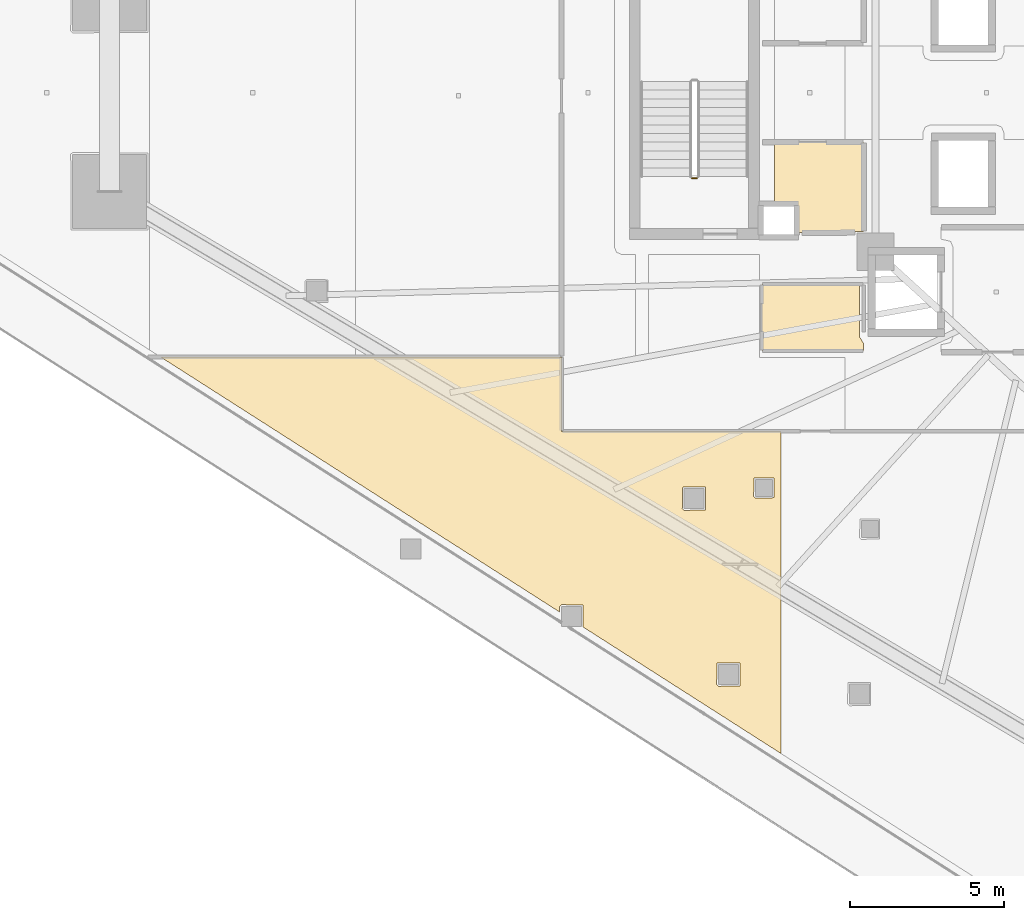
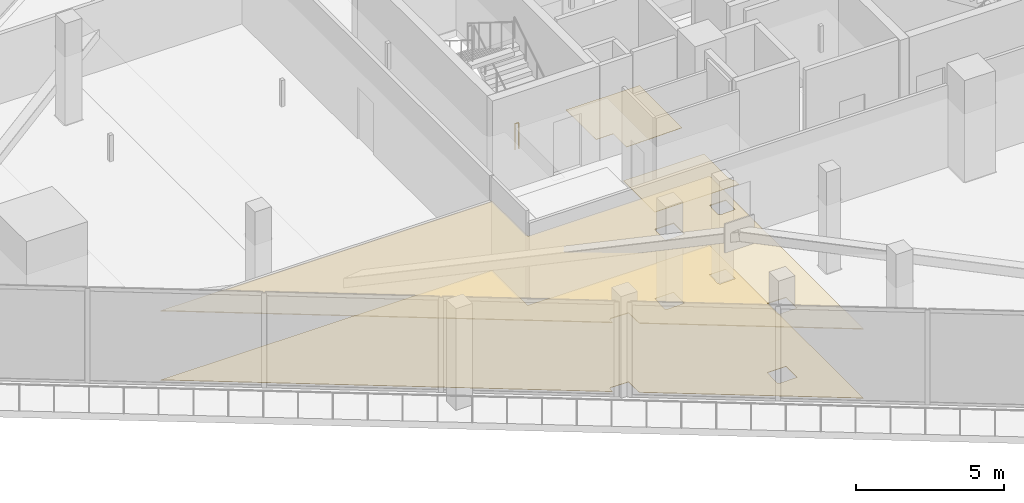
# One storey, part 36 of 43: 4 coverings, 1 railing.
"""IFC4 building model written with IfcOpenShell, lengths in metres."""

from ifc_helpers import new_model, si_unit, direction, frame, origin, origin_2d, place, context, subcontext, project, spatial, polyline, circle, outline, extrude, material, layer, layer_set, type_object, element, save


model = new_model("IFC4")

# Units and contexts
model_context = context("Model", 3, precision=1e-05, world=origin(), true_north=direction((0.0, 1.0)))
body_context = subcontext(model_context, "Body", "Model", "MODEL_VIEW")
ifc_project = project(units=[si_unit("LENGTHUNIT", "METRE"), si_unit("AREAUNIT", "SQUARE_METRE"), si_unit("VOLUMEUNIT", "CUBIC_METRE"), si_unit("PLANEANGLEUNIT", "RADIAN"), si_unit("MASSUNIT", "GRAM", prefix="KILO")], contexts=[model_context])

# Site, building, storey
site_placement = place(None, origin())
site = spatial("IfcSite", under=ifc_project, at=site_placement, CompositionType="ELEMENT")
building_placement = place(site_placement, origin())
building = spatial("IfcBuilding", under=site, at=building_placement, Name="Qorvath Tower", CompositionType="ELEMENT")
storey_placement = place(building_placement, frame((0.0, 0.0, 36.60009765625)))
storey = spatial("IfcBuildingStorey", under=building, at=storey_placement, Name="L07", CompositionType="ELEMENT", Elevation=36.60009765625)

# Coverings
ifc_material_1 = material(Name="Acoustic mineral fibre ceiling tile", Category="gypsum")
ifc_layer_1 = layer(ifc_material_1, 0.030029296875)
ifc_layer_set_1 = layer_set([ifc_layer_1], Name="COV-CEIL")
covering_type_1 = type_object("IfcCoveringType", Name="COV-CEIL", PredefinedType="CEILING", material=ifc_layer_set_1)
covering_1_placement = place(storey_placement, frame((0.0, 0.0, 2.849853515625)))
element("IfcCovering", 1, at=covering_1_placement, inside=storey, type_object=covering_type_1, Name="L07 Suspended Acoustic Ceiling 013", PredefinedType="CEILING", context=body_context, shape_type="SweptSolid", body=[
    extrude(outline(polyline([(-33.55078125, -21.390869140625), (-33.55078125, -10.962890625), (-40.657958984375, -10.962890625), (-40.6630859375, -8.554931640625), (-53.63427734375, -8.554931640625), (-40.717529296875, -16.810546875), (-40.717529296875, -16.630859375), (-40.657470703125, -16.57080078125), (-39.965087890625, -16.58837890625), (-39.95458984375, -17.298095703125), (-33.55078125, -21.390869140625)]), holes=[polyline([(-34.439208984375, -13.0673828125), (-34.421630859375, -12.47509765625), (-33.786865234375, -12.47509765625), (-33.786865234375, -13.10986328125), (-34.379150390625, -13.12744140625), (-34.439208984375, -13.0673828125)]), polyline([(-35.63671875, -19.154296875), (-35.619140625, -18.4619140625), (-34.88427734375, -18.4619140625), (-34.88427734375, -19.19677734375), (-35.57666015625, -19.21435546875), (-35.63671875, -19.154296875)]), polyline([(-36.749755859375, -13.46044921875), (-36.732177734375, -12.76806640625), (-35.997314453125, -12.76806640625), (-35.997314453125, -13.5029296875), (-36.689697265625, -13.5205078125), (-36.749755859375, -13.46044921875)])]), origin(), (0.0, 0.0, 1.0), 0.030029296875),
])
ifc_material_2 = material(Name="Low-VOC modular carpet tile", Category="textile")
ifc_layer_2 = layer(ifc_material_2, 0.014892578125)
ifc_layer_set_2 = layer_set([ifc_layer_2], Name="COV-FLOOR-CPT")
covering_type_2 = type_object("IfcCoveringType", Name="COV-FLOOR-CPT", PredefinedType="FLOORING", material=ifc_layer_set_2)
covering_2_placement = place(storey_placement, origin())
element("IfcCovering", 2, at=covering_2_placement, inside=storey, type_object=covering_type_2, Name="L07 Floor Finish 006", PredefinedType="FLOORING", context=body_context, shape_type="SweptSolid", body=[
    extrude(outline(polyline([(-30.885009765625, -1.60498046875), (-33.760009765625, -1.60498046875), (-33.760009765625, -3.636962890625), (-33.08837890625, -3.638427734375), (-33.0869140625, -4.534912109375), (-30.885009765625, -4.489990234375), (-30.885009765625, -1.60498046875)])), origin(), (0.0, 0.0, 1.0), 0.014892578125),
])
covering_3_placement = place(storey_placement, origin())
element("IfcCovering", 3, at=covering_3_placement, inside=storey, type_object=covering_type_2, Name="L07 Floor Finish 013", PredefinedType="FLOORING", context=body_context, shape_type="SweptSolid", body=[
    extrude(outline(polyline([(-33.55078125, -21.390869140625), (-33.55078125, -10.962890625), (-40.657958984375, -10.962890625), (-40.6630859375, -8.554931640625), (-53.63427734375, -8.554931640625), (-40.717529296875, -16.810546875), (-40.717529296875, -16.630859375), (-40.657470703125, -16.57080078125), (-39.965087890625, -16.58837890625), (-39.95458984375, -17.298095703125), (-33.55078125, -21.390869140625)]), holes=[polyline([(-34.439208984375, -13.0673828125), (-34.421630859375, -12.47509765625), (-33.786865234375, -12.47509765625), (-33.786865234375, -13.10986328125), (-34.379150390625, -13.12744140625), (-34.439208984375, -13.0673828125)]), polyline([(-35.63671875, -19.154296875), (-35.619140625, -18.4619140625), (-34.88427734375, -18.4619140625), (-34.88427734375, -19.19677734375), (-35.57666015625, -19.21435546875), (-35.63671875, -19.154296875)]), polyline([(-36.749755859375, -13.46044921875), (-36.732177734375, -12.76806640625), (-35.997314453125, -12.76806640625), (-35.997314453125, -13.5029296875), (-36.689697265625, -13.5205078125), (-36.749755859375, -13.46044921875)])]), origin(), (0.0, 0.0, 1.0), 0.014892578125),
])
ifc_material_3 = material(Name="Polished epoxy terrazzo flooring", Category="concrete")
ifc_layer_3 = layer(ifc_material_3, 0.02001953125)
ifc_layer_set_3 = layer_set([ifc_layer_3], Name="COV-FLOOR-TRZ")
covering_type_3 = type_object("IfcCoveringType", Name="COV-FLOOR-TRZ", PredefinedType="FLOORING", material=ifc_layer_set_3)
covering_4_placement = place(storey_placement, origin())
element("IfcCovering", 4, at=covering_4_placement, inside=storey, type_object=covering_type_3, Name="L07 Floor Finish 005", PredefinedType="FLOORING", context=body_context, shape_type="SweptSolid", body=[
    extrude(outline(polyline([(-30.885009765625, -8.344970703125), (-30.885009765625, -8.108154296875), (-31.010009765625, -7.909912109375), (-31.010009765625, -6.205078125), (-34.175048828125, -6.205078125), (-34.175048828125, -8.344970703125), (-30.885009765625, -8.344970703125)])), origin(), (0.0, 0.0, 1.0), 0.014892578125),
])

# Railing
ifc_material_4 = material(Name="Painted galvanised steel", Category="steel")
railing_type = type_object("IfcRailingType", Name="RL-STR-GRD", PredefinedType="GUARDRAIL", material=ifc_material_4)
railing_placement = place(storey_placement, frame((-36.280029296875, -2.77001953125, 0.0)))
element("IfcRailing", 5, at=railing_placement, inside=storey, type_object=railing_type, Name="L07 TS3 stair guard 4", PredefinedType="GUARDRAIL", context=body_context, shape_type="SweptSolid", body=[
    extrude(circle(Radius=0.02392578125, at=origin_2d()), frame((0.0, 0.0, 1.076171875), z_axis=(-1.0, 0.0, 0.0), x_axis=(0.0, -1.0, 0.0)), (0.0, 0.0, 1.0), 0.14990234375),
    extrude(circle(Radius=0.02099609375, at=origin_2d()), origin(), (0.0, 0.0, 1.0), 1.052001953125),
    extrude(circle(Radius=0.02099609375, at=origin_2d()), frame((-0.14990234375, 0.0, 0.0)), (0.0, 0.0, 1.0), 1.052001953125),
])

save(model, "model.ifc")
